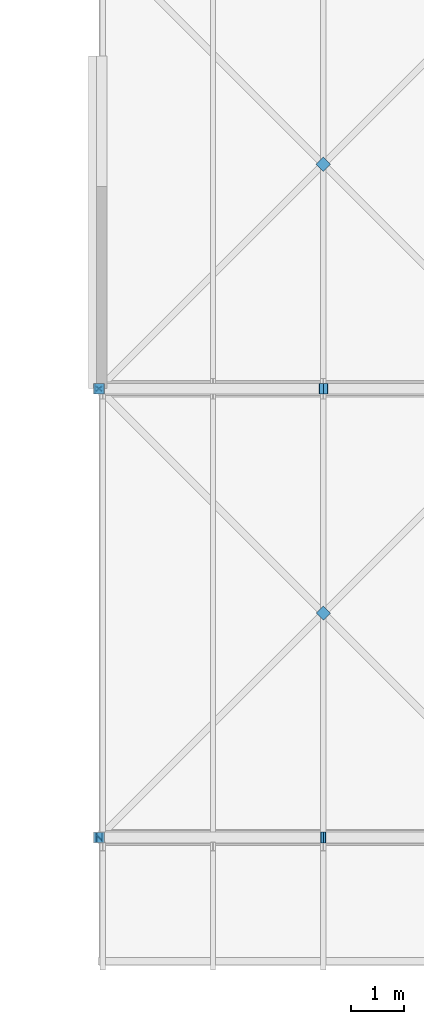
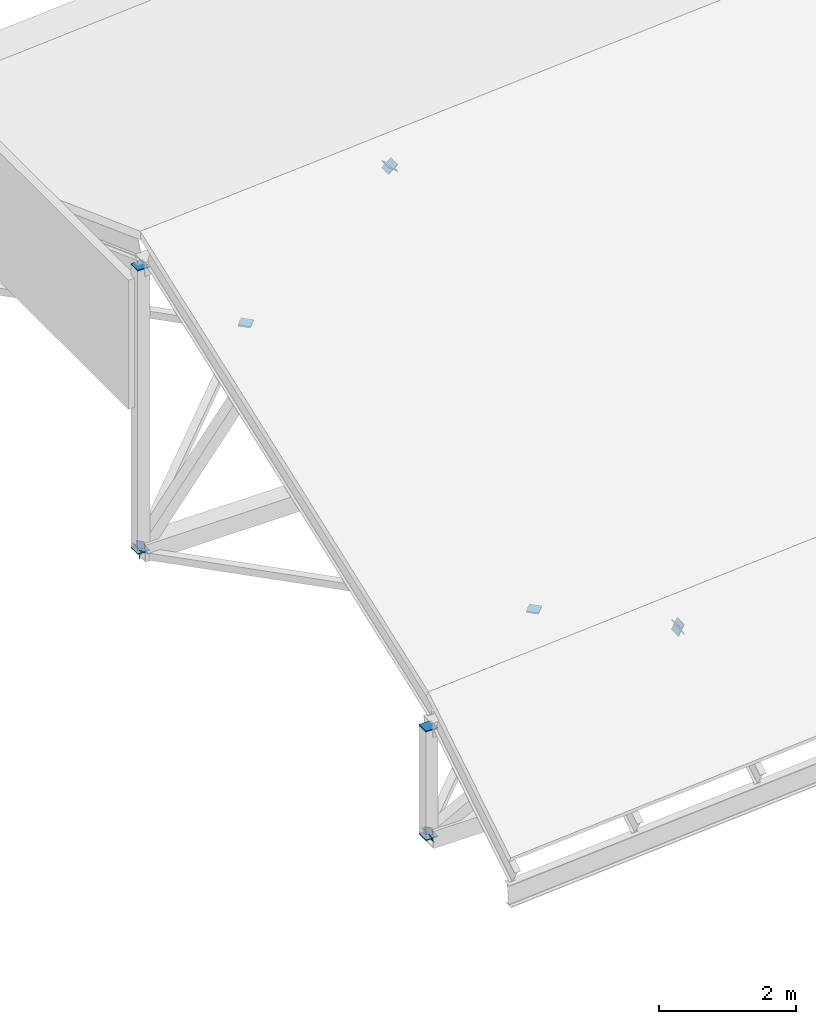
# One storey, part 60 of 76: 15 discrete accessories.
"""IFC4 building model written with IfcOpenShell, lengths in metres."""

from ifc_helpers import new_model, si_unit, direction, frame, origin, origin_2d, place, context, subcontext, project, spatial, rectangle, extrude, material, element, save


model = new_model("IFC4")

# Units and contexts
model_context = context("Model", 3, precision=1e-05, world=origin(), true_north=direction((0.0, 1.0)))
body_context = subcontext(model_context, "Body", "Model", "MODEL_VIEW")
ifc_project = project(units=[si_unit("LENGTHUNIT", "METRE"), si_unit("AREAUNIT", "SQUARE_METRE"), si_unit("VOLUMEUNIT", "CUBIC_METRE"), si_unit("PLANEANGLEUNIT", "RADIAN"), si_unit("MASSUNIT", "GRAM", prefix="KILO")], contexts=[model_context])

# Site, building, storey
site_placement = place(None, origin())
site = spatial("IfcSite", under=ifc_project, at=site_placement, CompositionType="ELEMENT")
building_placement = place(site_placement, origin())
building = spatial("IfcBuilding", under=site, at=building_placement, Name="Hlaing Beacon Police Headquarters", CompositionType="ELEMENT")
storey_placement = place(building_placement, frame((0.0, 0.0, 18.89990234375)))
storey = spatial("IfcBuildingStorey", under=building, at=storey_placement, Name="L04", CompositionType="ELEMENT", Elevation=18.89990234375)

# Discrete accessories
ifc_material = material(Name="Steel ASTM A572 Grade 50", Category="steel")
for number, where, z_axis, x_axis, name in (
    (1, (33.60009765625, 75.60009765625, -2.53759765625), (0.0, 0.0, -1.0), (1.0, 0.0, 0.0), "Gusset plate GP-415"),
    (2, (33.60009765625, 75.60009765625, -0.625732421875), (0.0, 0.0, 1.0), (1.0, 0.0, 0.0), "Gusset plate GP-416"),
):
    element("IfcDiscreteAccessory", number, at=place(storey_placement, frame(where, z_axis=z_axis, x_axis=x_axis)), inside=storey, material=ifc_material, Name=name, PredefinedType="BRACKET", context=body_context, shape_type="SweptSolid", body=[
        extrude(rectangle(XDim=0.203125, YDim=0.203125, at=origin_2d()), origin(), (0.0, 0.0, 1.0), 0.02001953125),
    ])
for number, where, z_axis, x_axis, name in (
    (3, (33.607177734375, 75.60009765625, -2.5439453125), (-0.883053903014, 0.0, -0.469271567828), (0.0, -1.0, 0.0), "Gusset plate GP-425"),
    (4, (37.79296875, 75.60009765625, -0.3193359375), (0.883053903014, 0.0, 0.469271567828), (0.0, 1.0, 0.0), "Gusset plate GP-426"),
    (5, (37.80712890625, 75.60009765625, -0.3193359375), (-0.883053903014, 0.0, 0.469271567828), (0.0, -1.0, 0.0), "Gusset plate GP-427"),
):
    element("IfcDiscreteAccessory", number, at=place(storey_placement, frame(where, z_axis=z_axis, x_axis=x_axis)), inside=storey, material=ifc_material, Name=name, PredefinedType="BRACKET", context=body_context, shape_type="SweptSolid", body=[
        extrude(rectangle(XDim=0.203125, YDim=0.203125, at=origin_2d()), origin(), (0.0, 0.0, 1.0), 0.01611328125),
    ])
for number, where, z_axis, x_axis, name in (
    (6, (33.60009765625, 84.0, -2.53759765625), (0.0, 0.0, -1.0), (1.0, 0.0, 0.0), "Gusset plate GP-441"),
    (7, (33.60009765625, 84.0, 2.482666015625), (0.0, 0.0, 1.0), (1.0, 0.0, 0.0), "Gusset plate GP-442"),
):
    element("IfcDiscreteAccessory", number, at=place(storey_placement, frame(where, z_axis=z_axis, x_axis=x_axis)), inside=storey, material=ifc_material, Name=name, PredefinedType="BRACKET", context=body_context, shape_type="SweptSolid", body=[
        extrude(rectangle(XDim=0.203125, YDim=0.203125, at=origin_2d()), origin(), (0.0, 0.0, 1.0), 0.02001953125),
    ])
for number, where, z_axis, x_axis, name in (
    (8, (33.60498046875, 84.0, -2.541259765625), (-0.618183326638, 0.0, -0.786033952617), (0.0, -1.0, 0.0), "Gusset plate GP-451"),
    (9, (37.795166015625, 84.0, 2.786376953125), (0.618183326638, 0.0, 0.786033952617), (0.0, 1.0, 0.0), "Gusset plate GP-452"),
    (10, (37.804931640625, 84.0, 2.786376953125), (-0.618183326638, 0.0, 0.786033952617), (0.0, -1.0, 0.0), "Gusset plate GP-453"),
):
    element("IfcDiscreteAccessory", number, at=place(storey_placement, frame(where, z_axis=z_axis, x_axis=x_axis)), inside=storey, material=ifc_material, Name=name, PredefinedType="BRACKET", context=body_context, shape_type="SweptSolid", body=[
        extrude(rectangle(XDim=0.203125, YDim=0.203125, at=origin_2d()), origin(), (0.0, 0.0, 1.0), 0.01611328125),
    ])
for number, where, z_axis, x_axis, name in (
    (11, (33.604248046875, 75.604248046875, -2.47412109375), (-0.707106781187, -0.707106781187, 0.0), (0.707106781187, -0.707106781187, 0.0), "Gusset plate GP-493"),
    (12, (33.604248046875, 83.995849609375, -2.62109375), (-0.707106781187, 0.707106781187, 0.0), (-0.707106781187, -0.707106781187, 0.0), "Gusset plate GP-495"),
    (13, (33.604248046875, 84.004150390625, -2.47412109375), (-0.707106781187, -0.707106781187, 0.0), (0.707106781187, -0.707106781187, 0.0), "Gusset plate GP-509"),
):
    element("IfcDiscreteAccessory", number, at=place(storey_placement, frame(where, z_axis=z_axis, x_axis=x_axis)), inside=storey, material=ifc_material, Name=name, PredefinedType="BRACKET", context=body_context, shape_type="SweptSolid", body=[
        extrude(rectangle(XDim=0.126953125, YDim=0.126953125, at=origin_2d()), origin(), (0.0, 0.0, 1.0), 0.011962890625),
    ])
for number, where, z_axis, x_axis, name in (
    (14, (37.800048828125, 79.800048828125, -2.560546875), (0.0, 0.0, 1.0), (0.707106781187, 0.707106781187, 0.0), "Node plate NP-009"),
    (15, (37.800048828125, 88.199951171875, -2.560546875), (0.0, 0.0, 1.0), (0.707106781187, 0.707106781187, 0.0), "Node plate NP-013"),
):
    element("IfcDiscreteAccessory", number, at=place(storey_placement, frame(where, z_axis=z_axis, x_axis=x_axis)), inside=storey, material=ifc_material, Name=name, PredefinedType="BRACKET", context=body_context, shape_type="SweptSolid", body=[
        extrude(rectangle(XDim=0.1904296875, YDim=0.1904296875, at=origin_2d()), origin(), (0.0, 0.0, 1.0), 0.02587890625),
    ])

save(model, "model.ifc")
